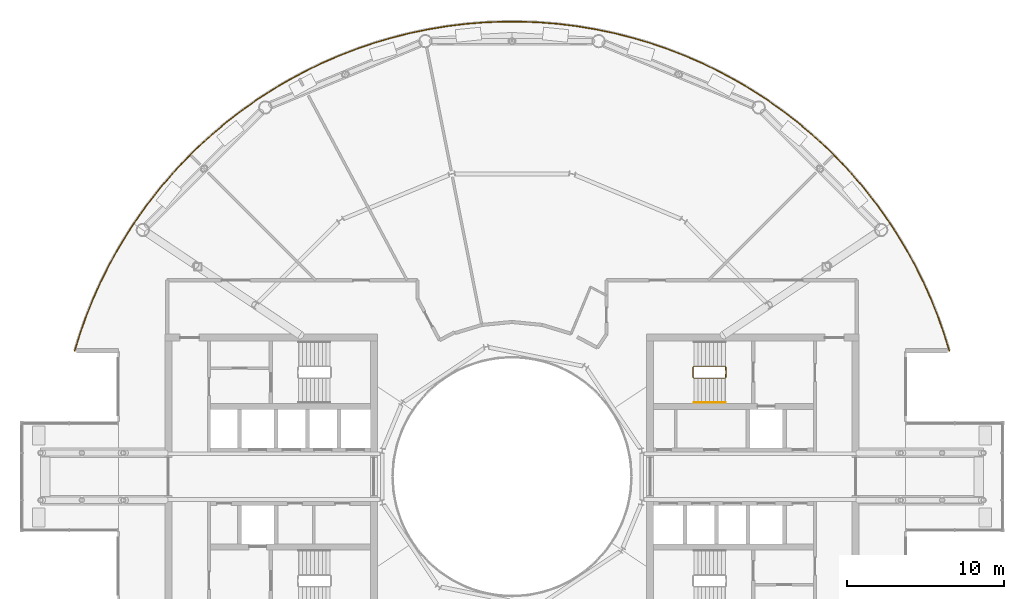
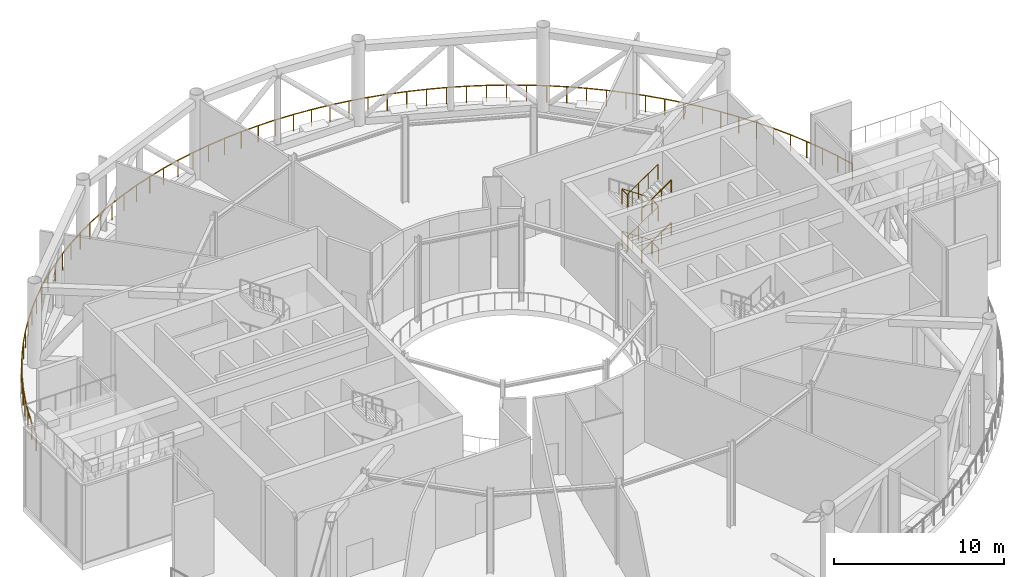
# One storey, part 23 of 24: 4 railings.
"""IFC4 building model written with IfcOpenShell, lengths in metres."""

from ifc_helpers import new_model, si_unit, direction, frame, origin, origin_2d, place, context, subcontext, project, spatial, circle, extrude, material, type_object, element, save


model = new_model("IFC4")

# Units and contexts
model_context = context("Model", 3, precision=1e-05, world=origin(), true_north=direction((0.0, 1.0)))
body_context = subcontext(model_context, "Body", "Model", "MODEL_VIEW")
ifc_project = project(units=[si_unit("LENGTHUNIT", "METRE"), si_unit("AREAUNIT", "SQUARE_METRE"), si_unit("VOLUMEUNIT", "CUBIC_METRE"), si_unit("PLANEANGLEUNIT", "RADIAN"), si_unit("MASSUNIT", "GRAM", prefix="KILO")], contexts=[model_context])

# Site, building, storey
site_placement = place(None, origin())
site = spatial("IfcSite", under=ifc_project, at=site_placement, CompositionType="ELEMENT")
building_placement = place(site_placement, origin())
building = spatial("IfcBuilding", under=site, at=building_placement, Name="Maasbend Ring Residences", CompositionType="ELEMENT")
storey_placement = place(building_placement, frame((0.0, 0.0, 221.85009765625)))
storey = spatial("IfcBuildingStorey", under=building, at=storey_placement, Name="L64", CompositionType="ELEMENT", Elevation=221.85009765625)

# Railings
ifc_material_1 = material(Name="Stainless steel 316 and glass", Category="steel")
railing_type_1 = type_object("IfcRailingType", Name="RL-GUARD", PredefinedType="GUARDRAIL", material=ifc_material_1)
railing_1_placement = place(storey_placement, frame((27.778564453125, 7.972412109375, 0.0)))
element("IfcRailing", 1, at=railing_1_placement, inside=storey, type_object=railing_type_1, Name="Garden guard outer 1", PredefinedType="GUARDRAIL", context=body_context, shape_type="SweptSolid", body=[
    extrude(circle(Radius=0.02490234375, at=origin_2d()), frame((0.0, 0.0, 1.1748046875), z_axis=(-0.295504624123, 0.95534130923, 0.0), x_axis=(-0.95534130923, -0.295504624123, 0.0)), (0.0, 0.0, 1.0), 1.184814453125),
    extrude(circle(Radius=0.02490234375, at=origin_2d()), frame((-0.35009765625, 1.1318359375, 1.1748046875), z_axis=(-0.334285842511, 0.94247173724, 0.0), x_axis=(-0.94247173724, -0.334285842511, 0.0)), (0.0, 0.0, 1.0), 1.1845703125),
    extrude(circle(Radius=0.02490234375, at=origin_2d()), frame((-0.74609375, 2.248291015625, 1.1748046875), z_axis=(-0.372847180885, 0.927892763042, 0.0), x_axis=(-0.927892763042, -0.372847180885, 0.0)), (0.0, 0.0, 1.0), 1.1845703125),
    extrude(circle(Radius=0.02490234375, at=origin_2d()), frame((-1.187744140625, 3.347412109375, 1.1748046875), z_axis=(-0.410493199792, 0.911863659175, 0.0), x_axis=(-0.911863659175, -0.410493199792, 0.0)), (0.0, 0.0, 1.0), 1.184814453125),
    extrude(circle(Radius=0.02490234375, at=origin_2d()), frame((-1.674072265625, 4.427734375, 1.1748046875), z_axis=(-0.447460908245, 0.894303491882, 0.0), x_axis=(-0.894303491882, -0.447460908245, 0.0)), (0.0, 0.0, 1.0), 1.1845703125),
    extrude(circle(Radius=0.02490234375, at=origin_2d()), frame((-2.2041015625, 5.487060546875, 1.1748046875), z_axis=(-0.483839805506, 0.875156581766, 0.0), x_axis=(-0.875156581766, -0.483839805506, 0.0)), (0.0, 0.0, 1.0), 1.184814453125),
    extrude(circle(Radius=0.02490234375, at=origin_2d()), frame((-2.77734375, 6.52392578125, 1.1748046875), z_axis=(-0.51915559987, 0.854679743017, 0.0), x_axis=(-0.854679743017, -0.51915559987, 0.0)), (0.0, 0.0, 1.0), 1.1845703125),
    extrude(circle(Radius=0.02490234375, at=origin_2d()), frame((-3.392333984375, 7.536376953125, 1.1748046875), z_axis=(-0.553796190877, 0.832652255729, 0.0), x_axis=(-0.832652255729, -0.553796190877, 0.0)), (0.0, 0.0, 1.0), 1.1845703125),
    extrude(circle(Radius=0.02490234375, at=origin_2d()), frame((-4.04833984375, 8.522705078125, 1.1748046875), z_axis=(-0.58749759803, 0.809225909317, 0.0), x_axis=(-0.809225909317, -0.58749759803, 0.0)), (0.0, 0.0, 1.0), 1.184814453125),
    extrude(circle(Radius=0.02490234375, at=origin_2d()), frame((-4.744384765625, 9.4814453125, 1.1748046875), z_axis=(-0.620185444157, 0.78445523445, 0.0), x_axis=(-0.78445523445, -0.620185444157, 0.0)), (0.0, 0.0, 1.0), 1.1845703125),
    extrude(circle(Radius=0.02490234375, at=origin_2d()), frame((-5.47900390625, 10.41064453125, 1.1748046875), z_axis=(-0.65182600946, 0.758368547206, 0.0), x_axis=(-0.758368547206, -0.65182600946, 0.0)), (0.0, 0.0, 1.0), 1.184814453125),
    extrude(circle(Radius=0.02490234375, at=origin_2d()), frame((-6.251220703125, 11.30908203125, 1.1748046875), z_axis=(-0.682156690758, 0.731206023809, 0.0), x_axis=(-0.731206023809, -0.682156690758, 0.0)), (0.0, 0.0, 1.0), 1.1845703125),
    extrude(circle(Radius=0.02490234375, at=origin_2d()), frame((-7.059326171875, 12.17529296875, 1.1748046875), z_axis=(-0.711830937603, 0.702350849841, 0.0), x_axis=(-0.702350849841, -0.711830937603, 0.0)), (0.0, 0.0, 1.0), 1.1845703125),
    extrude(circle(Radius=0.02490234375, at=origin_2d()), frame((-7.902587890625, 13.00732421875, 1.1748046875), z_axis=(-0.739800189204, 0.672826634471, 0.0), x_axis=(-0.672826634471, -0.739800189204, 0.0)), (0.0, 0.0, 1.0), 1.184814453125),
    extrude(circle(Radius=0.02490234375, at=origin_2d()), frame((-8.779052734375, 13.804443359375, 1.1748046875), z_axis=(-0.766885051085, 0.641784479731, 0.0), x_axis=(-0.641784479731, -0.766885051085, 0.0)), (0.0, 0.0, 1.0), 1.1845703125),
    extrude(circle(Radius=0.02490234375, at=origin_2d()), frame((-9.6875, 14.564697265625, 1.1748046875), z_axis=(-0.792493715501, 0.609880079107, 0.0), x_axis=(-0.609880079107, -0.792493715501, 0.0)), (0.0, 0.0, 1.0), 1.1845703125),
    extrude(circle(Radius=0.02490234375, at=origin_2d()), frame((-10.626220703125, 15.287109375, 1.1748046875), z_axis=(-0.816785089041, 0.576942040695, 0.0), x_axis=(-0.576942040695, -0.816785089041, 0.0)), (0.0, 0.0, 1.0), 1.184814453125),
    extrude(circle(Radius=0.02490234375, at=origin_2d()), frame((-11.593994140625, 15.970703125, 1.1748046875), z_axis=(-0.839829939632, 0.542849585519, 0.0), x_axis=(-0.542849585519, -0.839829939632, 0.0)), (0.0, 0.0, 1.0), 1.1845703125),
    extrude(circle(Radius=0.02490234375, at=origin_2d()), frame((-12.5888671875, 16.61376953125, 1.1748046875), z_axis=(-0.861324276781, 0.508055597575, 0.0), x_axis=(-0.508055597575, -0.861324276781, 0.0)), (0.0, 0.0, 1.0), 1.1845703125),
    extrude(circle(Radius=0.02490234375, at=origin_2d()), frame((-13.609130859375, 17.215576171875, 1.1748046875), z_axis=(-0.881415624836, 0.472341503887, 0.0), x_axis=(-0.472341503887, -0.881415624836, 0.0)), (0.0, 0.0, 1.0), 1.1845703125),
    extrude(circle(Radius=0.02490234375, at=origin_2d()), frame((-14.6533203125, 17.775146484375, 1.1748046875), z_axis=(-0.900002799964, 0.435884113104, 0.0), x_axis=(-0.435884113104, -0.900002799964, 0.0)), (0.0, 0.0, 1.0), 1.1845703125),
    extrude(circle(Radius=0.02490234375, at=origin_2d()), frame((-15.719482421875, 18.29150390625, 1.1748046875), z_axis=(-0.917129024526, 0.398590456951, 0.0), x_axis=(-0.398590456951, -0.917129024526, 0.0)), (0.0, 0.0, 1.0), 1.1845703125),
    extrude(circle(Radius=0.02490234375, at=origin_2d()), frame((-16.805908203125, 18.763671875, 1.1748046875), z_axis=(-0.932706782024, 0.360635631582, 0.0), x_axis=(-0.360635631582, -0.932706782024, 0.0)), (0.0, 0.0, 1.0), 1.184814453125),
    extrude(circle(Radius=0.02490234375, at=origin_2d()), frame((-17.910888671875, 19.19091796875, 1.1748046875), z_axis=(-0.946770232419, 0.321910122559, 0.0), x_axis=(-0.321910122559, -0.946770232419, 0.0)), (0.0, 0.0, 1.0), 1.1845703125),
    extrude(circle(Radius=0.02490234375, at=origin_2d()), frame((-19.032470703125, 19.572265625, 1.1748046875), z_axis=(-0.959076230705, 0.283147989039, 0.0), x_axis=(-0.283147989039, -0.959076230705, 0.0)), (0.0, 0.0, 1.0), 1.184814453125),
    extrude(circle(Radius=0.02490234375, at=origin_2d()), frame((-20.168701171875, 19.90771484375, 1.1748046875), z_axis=(-0.969923880017, 0.243408436528, 0.0), x_axis=(-0.243408436528, -0.969923880017, 0.0)), (0.0, 0.0, 1.0), 1.1845703125),
    extrude(circle(Radius=0.02490234375, at=origin_2d()), frame((-21.317626953125, 20.196044921875, 1.1748046875), z_axis=(-0.979054075839, 0.203600384536, 0.0), x_axis=(-0.203600384536, -0.979054075839, 0.0)), (0.0, 0.0, 1.0), 1.184814453125),
    extrude(circle(Radius=0.02490234375, at=origin_2d()), frame((-22.4775390625, 20.437255859375, 1.1748046875), z_axis=(-0.986588187234, 0.163229129787, 0.0), x_axis=(-0.163229129787, -0.986588187234, 0.0)), (0.0, 0.0, 1.0), 1.1845703125),
    extrude(circle(Radius=0.02490234375, at=origin_2d()), frame((-23.646240234375, 20.630615234375, 1.1748046875), z_axis=(-0.992454401235, 0.122614279222, 0.0), x_axis=(-0.122614279222, -0.992454401235, 0.0)), (0.0, 0.0, 1.0), 1.184814453125),
    extrude(circle(Radius=0.02490234375, at=origin_2d()), frame((-24.822021484375, 20.77587890625, 1.1748046875), z_axis=(-0.996630509683, 0.082022113907, 0.0), x_axis=(-0.082022113907, -0.996630509683, 0.0)), (0.0, 0.0, 1.0), 1.1845703125),
    extrude(circle(Radius=0.02490234375, at=origin_2d()), frame((-26.002685546875, 20.873046875, 1.1748046875), z_axis=(-0.999158599932, 0.041013317118, 0.0), x_axis=(-0.041013317118, -0.999158599932, 0.0)), (0.0, 0.0, 1.0), 1.1845703125),
    extrude(circle(Radius=0.02490234375, at=origin_2d()), frame((-27.186279296875, 20.921630859375, 1.1748046875), z_axis=(-1.0, 0.0, 0.0), x_axis=(0.0, -1.0, 0.0)), (0.0, 0.0, 1.0), 1.1845703125),
    extrude(circle(Radius=0.02490234375, at=origin_2d()), frame((-28.370849609375, 20.921630859375, 1.1748046875), z_axis=(-0.999158599932, -0.041013317118, 0.0), x_axis=(0.041013317118, -0.999158599932, 0.0)), (0.0, 0.0, 1.0), 1.1845703125),
    extrude(circle(Radius=0.02490234375, at=origin_2d()), frame((-29.554443359375, 20.873046875, 1.1748046875), z_axis=(-0.996630509683, -0.082022113907, 0.0), x_axis=(0.082022113907, -0.996630509683, 0.0)), (0.0, 0.0, 1.0), 1.1845703125),
    extrude(circle(Radius=0.02490234375, at=origin_2d()), frame((-30.735107421875, 20.77587890625, 1.1748046875), z_axis=(-0.992454401235, -0.122614279222, 0.0), x_axis=(0.122614279222, -0.992454401235, 0.0)), (0.0, 0.0, 1.0), 1.184814453125),
    extrude(circle(Radius=0.02490234375, at=origin_2d()), frame((-31.910888671875, 20.630615234375, 1.1748046875), z_axis=(-0.986588187234, -0.163229129787, 0.0), x_axis=(0.163229129787, -0.986588187234, 0.0)), (0.0, 0.0, 1.0), 1.1845703125),
    extrude(circle(Radius=0.02490234375, at=origin_2d()), frame((-33.07958984375, 20.437255859375, 1.1748046875), z_axis=(-0.979054075839, -0.203600384536, 0.0), x_axis=(0.203600384536, -0.979054075839, 0.0)), (0.0, 0.0, 1.0), 1.184814453125),
    extrude(circle(Radius=0.02490234375, at=origin_2d()), frame((-34.239501953125, 20.196044921875, 1.1748046875), z_axis=(-0.969923880017, -0.243408436528, 0.0), x_axis=(0.243408436528, -0.969923880017, 0.0)), (0.0, 0.0, 1.0), 1.1845703125),
    extrude(circle(Radius=0.02490234375, at=origin_2d()), frame((-35.388427734375, 19.90771484375, 1.1748046875), z_axis=(-0.959076230705, -0.283147989039, 0.0), x_axis=(0.283147989039, -0.959076230705, 0.0)), (0.0, 0.0, 1.0), 1.184814453125),
    extrude(circle(Radius=0.02490234375, at=origin_2d()), frame((-36.524658203125, 19.572265625, 1.1748046875), z_axis=(-0.946770232419, -0.321910122559, 0.0), x_axis=(0.321910122559, -0.946770232419, 0.0)), (0.0, 0.0, 1.0), 1.1845703125),
    extrude(circle(Radius=0.02490234375, at=origin_2d()), frame((-37.646240234375, 19.19091796875, 1.1748046875), z_axis=(-0.932706782024, -0.360635631582, 0.0), x_axis=(0.360635631582, -0.932706782024, 0.0)), (0.0, 0.0, 1.0), 1.184814453125),
    extrude(circle(Radius=0.02490234375, at=origin_2d()), frame((-38.751220703125, 18.763671875, 1.1748046875), z_axis=(-0.917129024526, -0.398590456951, 0.0), x_axis=(0.398590456951, -0.917129024526, 0.0)), (0.0, 0.0, 1.0), 1.1845703125),
    extrude(circle(Radius=0.02490234375, at=origin_2d()), frame((-39.837646484375, 18.29150390625, 1.1748046875), z_axis=(-0.900002799964, -0.435884113104, 0.0), x_axis=(0.435884113104, -0.900002799964, 0.0)), (0.0, 0.0, 1.0), 1.1845703125),
    extrude(circle(Radius=0.02490234375, at=origin_2d()), frame((-40.90380859375, 17.775146484375, 1.1748046875), z_axis=(-0.881415624836, -0.472341503887, 0.0), x_axis=(0.472341503887, -0.881415624836, 0.0)), (0.0, 0.0, 1.0), 1.1845703125),
    extrude(circle(Radius=0.02490234375, at=origin_2d()), frame((-41.947998046875, 17.215576171875, 1.1748046875), z_axis=(-0.861324276781, -0.508055597575, 0.0), x_axis=(0.508055597575, -0.861324276781, 0.0)), (0.0, 0.0, 1.0), 1.1845703125),
    extrude(circle(Radius=0.02490234375, at=origin_2d()), frame((-42.96826171875, 16.61376953125, 1.1748046875), z_axis=(-0.839829939632, -0.542849585519, 0.0), x_axis=(0.542849585519, -0.839829939632, 0.0)), (0.0, 0.0, 1.0), 1.1845703125),
    extrude(circle(Radius=0.02490234375, at=origin_2d()), frame((-43.963134765625, 15.970703125, 1.1748046875), z_axis=(-0.816785089041, -0.576942040695, 0.0), x_axis=(0.576942040695, -0.816785089041, 0.0)), (0.0, 0.0, 1.0), 1.184814453125),
    extrude(circle(Radius=0.02490234375, at=origin_2d()), frame((-44.930908203125, 15.287109375, 1.1748046875), z_axis=(-0.792493715501, -0.609880079107, 0.0), x_axis=(0.609880079107, -0.792493715501, 0.0)), (0.0, 0.0, 1.0), 1.1845703125),
    extrude(circle(Radius=0.02490234375, at=origin_2d()), frame((-45.86962890625, 14.564697265625, 1.1748046875), z_axis=(-0.766885051085, -0.641784479731, 0.0), x_axis=(0.641784479731, -0.766885051085, 0.0)), (0.0, 0.0, 1.0), 1.1845703125),
    extrude(circle(Radius=0.02490234375, at=origin_2d()), frame((-46.778076171875, 13.804443359375, 1.1748046875), z_axis=(-0.739800189204, -0.672826634471, 0.0), x_axis=(0.672826634471, -0.739800189204, 0.0)), (0.0, 0.0, 1.0), 1.184814453125),
    extrude(circle(Radius=0.02490234375, at=origin_2d()), frame((-47.654541015625, 13.00732421875, 1.1748046875), z_axis=(-0.711830937603, -0.702350849841, 0.0), x_axis=(0.702350849841, -0.711830937603, 0.0)), (0.0, 0.0, 1.0), 1.1845703125),
    extrude(circle(Radius=0.02490234375, at=origin_2d()), frame((-48.497802734375, 12.17529296875, 1.1748046875), z_axis=(-0.682156690758, -0.731206023809, 0.0), x_axis=(0.731206023809, -0.682156690758, 0.0)), (0.0, 0.0, 1.0), 1.1845703125),
    extrude(circle(Radius=0.02490234375, at=origin_2d()), frame((-49.305908203125, 11.30908203125, 1.1748046875), z_axis=(-0.65182600946, -0.758368547206, 0.0), x_axis=(0.758368547206, -0.65182600946, 0.0)), (0.0, 0.0, 1.0), 1.184814453125),
    extrude(circle(Radius=0.02490234375, at=origin_2d()), frame((-50.078125, 10.41064453125, 1.1748046875), z_axis=(-0.620185444157, -0.78445523445, 0.0), x_axis=(0.78445523445, -0.620185444157, 0.0)), (0.0, 0.0, 1.0), 1.1845703125),
    extrude(circle(Radius=0.02490234375, at=origin_2d()), frame((-50.812744140625, 9.4814453125, 1.1748046875), z_axis=(-0.58749759803, -0.809225909317, 0.0), x_axis=(0.809225909317, -0.58749759803, 0.0)), (0.0, 0.0, 1.0), 1.184814453125),
    extrude(circle(Radius=0.02490234375, at=origin_2d()), frame((-51.5087890625, 8.522705078125, 1.1748046875), z_axis=(-0.553796190877, -0.832652255729, 0.0), x_axis=(0.832652255729, -0.553796190877, 0.0)), (0.0, 0.0, 1.0), 1.1845703125),
    extrude(circle(Radius=0.02490234375, at=origin_2d()), frame((-52.164794921875, 7.536376953125, 1.1748046875), z_axis=(-0.51915559987, -0.854679743017, 0.0), x_axis=(0.854679743017, -0.51915559987, 0.0)), (0.0, 0.0, 1.0), 1.1845703125),
    extrude(circle(Radius=0.02490234375, at=origin_2d()), frame((-52.77978515625, 6.52392578125, 1.1748046875), z_axis=(-0.483839805506, -0.875156581766, 0.0), x_axis=(0.875156581766, -0.483839805506, 0.0)), (0.0, 0.0, 1.0), 1.184814453125),
    extrude(circle(Radius=0.02490234375, at=origin_2d()), frame((-53.35302734375, 5.487060546875, 1.1748046875), z_axis=(-0.447460908245, -0.894303491882, 0.0), x_axis=(0.894303491882, -0.447460908245, 0.0)), (0.0, 0.0, 1.0), 1.1845703125),
    extrude(circle(Radius=0.02490234375, at=origin_2d()), frame((-53.883056640625, 4.427734375, 1.1748046875), z_axis=(-0.410493199792, -0.911863659175, 0.0), x_axis=(0.911863659175, -0.410493199792, 0.0)), (0.0, 0.0, 1.0), 1.184814453125),
    extrude(circle(Radius=0.02490234375, at=origin_2d()), frame((-54.369384765625, 3.347412109375, 1.1748046875), z_axis=(-0.372847180885, -0.927892763042, 0.0), x_axis=(0.927892763042, -0.372847180885, 0.0)), (0.0, 0.0, 1.0), 1.1845703125),
    extrude(circle(Radius=0.02490234375, at=origin_2d()), frame((-54.81103515625, 2.248291015625, 1.1748046875), z_axis=(-0.334285842511, -0.94247173724, 0.0), x_axis=(0.94247173724, -0.334285842511, 0.0)), (0.0, 0.0, 1.0), 1.1845703125),
    extrude(circle(Radius=0.02490234375, at=origin_2d()), frame((-55.20703125, 1.1318359375, 1.1748046875), z_axis=(-0.295504624123, -0.95534130923, 0.0), x_axis=(0.95534130923, -0.295504624123, 0.0)), (0.0, 0.0, 1.0), 1.184814453125),
    extrude(circle(Radius=0.02001953125, at=origin_2d()), origin(), (0.0, 0.0, 1.0), 1.14990234375),
    extrude(circle(Radius=0.02001953125, at=origin_2d()), frame((-0.35009765625, 1.1318359375, 0.0)), (0.0, 0.0, 1.0), 1.14990234375),
    extrude(circle(Radius=0.02001953125, at=origin_2d()), frame((-0.74609375, 2.248291015625, 0.0)), (0.0, 0.0, 1.0), 1.14990234375),
    extrude(circle(Radius=0.02001953125, at=origin_2d()), frame((-1.187744140625, 3.347412109375, 0.0)), (0.0, 0.0, 1.0), 1.14990234375),
    extrude(circle(Radius=0.02001953125, at=origin_2d()), frame((-1.674072265625, 4.427734375, 0.0)), (0.0, 0.0, 1.0), 1.14990234375),
    extrude(circle(Radius=0.02001953125, at=origin_2d()), frame((-2.2041015625, 5.487060546875, 0.0)), (0.0, 0.0, 1.0), 1.14990234375),
    extrude(circle(Radius=0.02001953125, at=origin_2d()), frame((-2.77734375, 6.52392578125, 0.0)), (0.0, 0.0, 1.0), 1.14990234375),
    extrude(circle(Radius=0.02001953125, at=origin_2d()), frame((-3.392333984375, 7.536376953125, 0.0)), (0.0, 0.0, 1.0), 1.14990234375),
    extrude(circle(Radius=0.02001953125, at=origin_2d()), frame((-4.04833984375, 8.522705078125, 0.0)), (0.0, 0.0, 1.0), 1.14990234375),
    extrude(circle(Radius=0.02001953125, at=origin_2d()), frame((-4.744384765625, 9.4814453125, 0.0)), (0.0, 0.0, 1.0), 1.14990234375),
    extrude(circle(Radius=0.02001953125, at=origin_2d()), frame((-5.47900390625, 10.41064453125, 0.0)), (0.0, 0.0, 1.0), 1.14990234375),
    extrude(circle(Radius=0.02001953125, at=origin_2d()), frame((-6.251220703125, 11.30908203125, 0.0)), (0.0, 0.0, 1.0), 1.14990234375),
    extrude(circle(Radius=0.02001953125, at=origin_2d()), frame((-7.059326171875, 12.17529296875, 0.0)), (0.0, 0.0, 1.0), 1.14990234375),
    extrude(circle(Radius=0.02001953125, at=origin_2d()), frame((-7.902587890625, 13.00732421875, 0.0)), (0.0, 0.0, 1.0), 1.14990234375),
    extrude(circle(Radius=0.02001953125, at=origin_2d()), frame((-8.779052734375, 13.804443359375, 0.0)), (0.0, 0.0, 1.0), 1.14990234375),
    extrude(circle(Radius=0.02001953125, at=origin_2d()), frame((-9.6875, 14.564697265625, 0.0)), (0.0, 0.0, 1.0), 1.14990234375),
    extrude(circle(Radius=0.02001953125, at=origin_2d()), frame((-10.626220703125, 15.287109375, 0.0)), (0.0, 0.0, 1.0), 1.14990234375),
    extrude(circle(Radius=0.02001953125, at=origin_2d()), frame((-11.593994140625, 15.970703125, 0.0)), (0.0, 0.0, 1.0), 1.14990234375),
    extrude(circle(Radius=0.02001953125, at=origin_2d()), frame((-12.5888671875, 16.61376953125, 0.0)), (0.0, 0.0, 1.0), 1.14990234375),
    extrude(circle(Radius=0.02001953125, at=origin_2d()), frame((-13.609130859375, 17.215576171875, 0.0)), (0.0, 0.0, 1.0), 1.14990234375),
    extrude(circle(Radius=0.02001953125, at=origin_2d()), frame((-14.6533203125, 17.775146484375, 0.0)), (0.0, 0.0, 1.0), 1.14990234375),
    extrude(circle(Radius=0.02001953125, at=origin_2d()), frame((-15.719482421875, 18.29150390625, 0.0)), (0.0, 0.0, 1.0), 1.14990234375),
    extrude(circle(Radius=0.02001953125, at=origin_2d()), frame((-16.805908203125, 18.763671875, 0.0)), (0.0, 0.0, 1.0), 1.14990234375),
    extrude(circle(Radius=0.02001953125, at=origin_2d()), frame((-17.910888671875, 19.19091796875, 0.0)), (0.0, 0.0, 1.0), 1.14990234375),
    extrude(circle(Radius=0.02001953125, at=origin_2d()), frame((-19.032470703125, 19.572265625, 0.0)), (0.0, 0.0, 1.0), 1.14990234375),
    extrude(circle(Radius=0.02001953125, at=origin_2d()), frame((-20.168701171875, 19.90771484375, 0.0)), (0.0, 0.0, 1.0), 1.14990234375),
    extrude(circle(Radius=0.02001953125, at=origin_2d()), frame((-21.317626953125, 20.196044921875, 0.0)), (0.0, 0.0, 1.0), 1.14990234375),
    extrude(circle(Radius=0.02001953125, at=origin_2d()), frame((-22.4775390625, 20.437255859375, 0.0)), (0.0, 0.0, 1.0), 1.14990234375),
    extrude(circle(Radius=0.02001953125, at=origin_2d()), frame((-23.646240234375, 20.630615234375, 0.0)), (0.0, 0.0, 1.0), 1.14990234375),
    extrude(circle(Radius=0.02001953125, at=origin_2d()), frame((-24.822021484375, 20.77587890625, 0.0)), (0.0, 0.0, 1.0), 1.14990234375),
    extrude(circle(Radius=0.02001953125, at=origin_2d()), frame((-26.002685546875, 20.873046875, 0.0)), (0.0, 0.0, 1.0), 1.14990234375),
    extrude(circle(Radius=0.02001953125, at=origin_2d()), frame((-27.186279296875, 20.921630859375, 0.0)), (0.0, 0.0, 1.0), 1.14990234375),
    extrude(circle(Radius=0.02001953125, at=origin_2d()), frame((-28.370849609375, 20.921630859375, 0.0)), (0.0, 0.0, 1.0), 1.14990234375),
    extrude(circle(Radius=0.02001953125, at=origin_2d()), frame((-29.554443359375, 20.873046875, 0.0)), (0.0, 0.0, 1.0), 1.14990234375),
    extrude(circle(Radius=0.02001953125, at=origin_2d()), frame((-30.735107421875, 20.77587890625, 0.0)), (0.0, 0.0, 1.0), 1.14990234375),
    extrude(circle(Radius=0.02001953125, at=origin_2d()), frame((-31.910888671875, 20.630615234375, 0.0)), (0.0, 0.0, 1.0), 1.14990234375),
    extrude(circle(Radius=0.02001953125, at=origin_2d()), frame((-33.07958984375, 20.437255859375, 0.0)), (0.0, 0.0, 1.0), 1.14990234375),
    extrude(circle(Radius=0.02001953125, at=origin_2d()), frame((-34.239501953125, 20.196044921875, 0.0)), (0.0, 0.0, 1.0), 1.14990234375),
    extrude(circle(Radius=0.02001953125, at=origin_2d()), frame((-35.388427734375, 19.90771484375, 0.0)), (0.0, 0.0, 1.0), 1.14990234375),
    extrude(circle(Radius=0.02001953125, at=origin_2d()), frame((-36.524658203125, 19.572265625, 0.0)), (0.0, 0.0, 1.0), 1.14990234375),
    extrude(circle(Radius=0.02001953125, at=origin_2d()), frame((-37.646240234375, 19.19091796875, 0.0)), (0.0, 0.0, 1.0), 1.14990234375),
    extrude(circle(Radius=0.02001953125, at=origin_2d()), frame((-38.751220703125, 18.763671875, 0.0)), (0.0, 0.0, 1.0), 1.14990234375),
    extrude(circle(Radius=0.02001953125, at=origin_2d()), frame((-39.837646484375, 18.29150390625, 0.0)), (0.0, 0.0, 1.0), 1.14990234375),
    extrude(circle(Radius=0.02001953125, at=origin_2d()), frame((-40.90380859375, 17.775146484375, 0.0)), (0.0, 0.0, 1.0), 1.14990234375),
    extrude(circle(Radius=0.02001953125, at=origin_2d()), frame((-41.947998046875, 17.215576171875, 0.0)), (0.0, 0.0, 1.0), 1.14990234375),
    extrude(circle(Radius=0.02001953125, at=origin_2d()), frame((-42.96826171875, 16.61376953125, 0.0)), (0.0, 0.0, 1.0), 1.14990234375),
    extrude(circle(Radius=0.02001953125, at=origin_2d()), frame((-43.963134765625, 15.970703125, 0.0)), (0.0, 0.0, 1.0), 1.14990234375),
    extrude(circle(Radius=0.02001953125, at=origin_2d()), frame((-44.930908203125, 15.287109375, 0.0)), (0.0, 0.0, 1.0), 1.14990234375),
    extrude(circle(Radius=0.02001953125, at=origin_2d()), frame((-45.86962890625, 14.564697265625, 0.0)), (0.0, 0.0, 1.0), 1.14990234375),
    extrude(circle(Radius=0.02001953125, at=origin_2d()), frame((-46.778076171875, 13.804443359375, 0.0)), (0.0, 0.0, 1.0), 1.14990234375),
    extrude(circle(Radius=0.02001953125, at=origin_2d()), frame((-47.654541015625, 13.00732421875, 0.0)), (0.0, 0.0, 1.0), 1.14990234375),
    extrude(circle(Radius=0.02001953125, at=origin_2d()), frame((-48.497802734375, 12.17529296875, 0.0)), (0.0, 0.0, 1.0), 1.14990234375),
    extrude(circle(Radius=0.02001953125, at=origin_2d()), frame((-49.305908203125, 11.30908203125, 0.0)), (0.0, 0.0, 1.0), 1.14990234375),
    extrude(circle(Radius=0.02001953125, at=origin_2d()), frame((-50.078125, 10.41064453125, 0.0)), (0.0, 0.0, 1.0), 1.14990234375),
    extrude(circle(Radius=0.02001953125, at=origin_2d()), frame((-50.812744140625, 9.4814453125, 0.0)), (0.0, 0.0, 1.0), 1.14990234375),
    extrude(circle(Radius=0.02001953125, at=origin_2d()), frame((-51.5087890625, 8.522705078125, 0.0)), (0.0, 0.0, 1.0), 1.14990234375),
    extrude(circle(Radius=0.02001953125, at=origin_2d()), frame((-52.164794921875, 7.536376953125, 0.0)), (0.0, 0.0, 1.0), 1.14990234375),
    extrude(circle(Radius=0.02001953125, at=origin_2d()), frame((-52.77978515625, 6.52392578125, 0.0)), (0.0, 0.0, 1.0), 1.14990234375),
    extrude(circle(Radius=0.02001953125, at=origin_2d()), frame((-53.35302734375, 5.487060546875, 0.0)), (0.0, 0.0, 1.0), 1.14990234375),
    extrude(circle(Radius=0.02001953125, at=origin_2d()), frame((-53.883056640625, 4.427734375, 0.0)), (0.0, 0.0, 1.0), 1.14990234375),
    extrude(circle(Radius=0.02001953125, at=origin_2d()), frame((-54.369384765625, 3.347412109375, 0.0)), (0.0, 0.0, 1.0), 1.14990234375),
    extrude(circle(Radius=0.02001953125, at=origin_2d()), frame((-54.81103515625, 2.248291015625, 0.0)), (0.0, 0.0, 1.0), 1.14990234375),
    extrude(circle(Radius=0.02001953125, at=origin_2d()), frame((-55.20703125, 1.1318359375, 0.0)), (0.0, 0.0, 1.0), 1.14990234375),
    extrude(circle(Radius=0.02001953125, at=origin_2d()), frame((-55.55712890625, 0.0, 0.0)), (0.0, 0.0, 1.0), 1.14990234375),
])
ifc_material_2 = material(Name="Stainless steel 316", Category="steel")
railing_type_2 = type_object("IfcRailingType", Name="STAIR GUARD 1100", PredefinedType="GUARDRAIL", material=ifc_material_2)
railing_2_placement = place(storey_placement, frame((13.60009765625, 6.300048828125, 0.0)))
element("IfcRailing", 2, at=railing_2_placement, inside=storey, type_object=railing_type_2, Name="L64 ST-E1 stair guard 1", PredefinedType="GUARDRAIL", context=body_context, shape_type="SweptSolid", body=[
    extrude(circle(Radius=0.02392578125, at=origin_2d()), frame((0.0, 0.0, 1.076171875), z_axis=(0.0, 1.0, 0.0), x_axis=(-1.0, 0.0, 0.0)), (0.0, 0.0, 1.0), 0.64990234375),
    extrude(circle(Radius=0.02392578125, at=origin_2d()), frame((0.0, 0.64990234375, 1.076171875), z_axis=(-0.272562526181, 0.272562526181, 0.92272386912), x_axis=(-0.707106781187, -0.707106781187, 0.0)), (0.0, 0.0, 1.0), 0.18359375),
    extrude(circle(Radius=0.02392578125, at=origin_2d()), frame((-0.050048828125, 0.699951171875, 1.24560546875), z_axis=(-0.827797584762, 0.0, 0.561026878735), x_axis=(0.0, -1.0, 0.0)), (0.0, 0.0, 1.0), 2.416015625),
    extrude(circle(Radius=0.02392578125, at=origin_2d()), frame((-2.050048828125, 0.699951171875, 2.60107421875), z_axis=(-0.707106781187, -0.707106781187, 0.0), x_axis=(0.707106781187, -0.707106781187, 0.0)), (0.0, 0.0, 1.0), 0.07080078125),
    extrude(circle(Radius=0.02392578125, at=origin_2d()), frame((-2.10009765625, 0.64990234375, 2.60107421875), z_axis=(0.0, -1.0, 0.0), x_axis=(1.0, 0.0, 0.0)), (0.0, 0.0, 1.0), 0.64990234375),
    extrude(circle(Radius=0.02392578125, at=origin_2d()), frame((-2.10009765625, 0.0, 2.60107421875), z_axis=(0.272562526181, -0.272562526181, 0.92272386912), x_axis=(0.707106781187, 0.707106781187, 0.0)), (0.0, 0.0, 1.0), 0.18359375),
    extrude(circle(Radius=0.02392578125, at=origin_2d()), frame((-2.050048828125, -0.050048828125, 2.7705078125), z_axis=(0.827797584762, 0.0, 0.561026878735), x_axis=(0.0, 1.0, 0.0)), (0.0, 0.0, 1.0), 2.416015625),
    extrude(circle(Radius=0.02392578125, at=origin_2d()), frame((-0.050048828125, -0.050048828125, 4.1259765625), z_axis=(0.071321223157, 0.997453398975, 0.0), x_axis=(-0.997453398975, 0.071321223157, 0.0)), (0.0, 0.0, 1.0), 0.70166015625),
    extrude(circle(Radius=0.02392578125, at=origin_2d()), frame((0.0, 0.64990234375, 4.1259765625), z_axis=(0.0, -1.0, 0.0), x_axis=(1.0, 0.0, 0.0)), (0.0, 0.0, 1.0), 0.64990234375),
    extrude(circle(Radius=0.02392578125, at=origin_2d()), frame((0.0, 0.0, 4.1259765625), z_axis=(-0.069328998915, 0.969591414091, 0.234704025594), x_axis=(-0.997453398975, -0.071321223157, 0.0)), (0.0, 0.0, 1.0), 0.721923828125),
    extrude(circle(Radius=0.02392578125, at=origin_2d()), frame((-0.050048828125, 0.699951171875, 4.29541015625), z_axis=(-0.827750655447, 0.0, 0.561096116906), x_axis=(0.0, -1.0, 0.0)), (0.0, 0.0, 1.0), 2.416259765625),
    extrude(circle(Radius=0.02392578125, at=origin_2d()), frame((-2.050048828125, 0.699951171875, 5.65087890625), z_axis=(-0.707106781187, -0.707106781187, 0.0), x_axis=(0.707106781187, -0.707106781187, 0.0)), (0.0, 0.0, 1.0), 0.07080078125),
    extrude(circle(Radius=0.02392578125, at=origin_2d()), frame((-2.10009765625, 0.64990234375, 5.65087890625), z_axis=(0.0, -1.0, 0.0), x_axis=(1.0, 0.0, 0.0)), (0.0, 0.0, 1.0), 0.64990234375),
    extrude(circle(Radius=0.02392578125, at=origin_2d()), frame((-2.10009765625, 0.0, 5.65087890625), z_axis=(0.272562526181, -0.272562526181, 0.92272386912), x_axis=(0.707106781187, 0.707106781187, 0.0)), (0.0, 0.0, 1.0), 0.18359375),
    extrude(circle(Radius=0.02392578125, at=origin_2d()), frame((-2.050048828125, -0.050048828125, 5.8203125), z_axis=(0.827797584762, 0.0, 0.561026878735), x_axis=(0.0, 1.0, 0.0)), (0.0, 0.0, 1.0), 2.416015625),
    extrude(circle(Radius=0.02099609375, at=origin_2d()), origin(), (0.0, 0.0, 1.0), 1.052001953125),
    extrude(circle(Radius=0.02099609375, at=origin_2d()), frame((0.0, 0.64990234375, 0.0)), (0.0, 0.0, 1.0), 1.052001953125),
    extrude(circle(Radius=0.02099609375, at=origin_2d()), frame((-0.050048828125, 0.699951171875, 0.16943359375)), (0.0, 0.0, 1.0), 1.052001953125),
    extrude(circle(Radius=0.02099609375, at=origin_2d()), frame((-0.716796875, 0.699951171875, 0.621337890625)), (0.0, 0.0, 1.0), 1.052001953125),
    extrude(circle(Radius=0.02099609375, at=origin_2d()), frame((-1.38330078125, 0.699951171875, 1.072998046875)), (0.0, 0.0, 1.0), 1.052001953125),
    extrude(circle(Radius=0.02099609375, at=origin_2d()), frame((-2.050048828125, 0.699951171875, 1.52490234375)), (0.0, 0.0, 1.0), 1.052001953125),
    extrude(circle(Radius=0.02099609375, at=origin_2d()), frame((-2.10009765625, 0.64990234375, 1.52490234375)), (0.0, 0.0, 1.0), 1.052001953125),
    extrude(circle(Radius=0.02099609375, at=origin_2d()), frame((-2.10009765625, 0.0, 1.52490234375)), (0.0, 0.0, 1.0), 1.052001953125),
    extrude(circle(Radius=0.02099609375, at=origin_2d()), frame((-2.050048828125, -0.050048828125, 1.6943359375)), (0.0, 0.0, 1.0), 1.052001953125),
    extrude(circle(Radius=0.02099609375, at=origin_2d()), frame((-1.38330078125, -0.050048828125, 2.146240234375)), (0.0, 0.0, 1.0), 1.052001953125),
    extrude(circle(Radius=0.02099609375, at=origin_2d()), frame((-0.716796875, -0.050048828125, 2.597900390625)), (0.0, 0.0, 1.0), 1.052001953125),
    extrude(circle(Radius=0.02099609375, at=origin_2d()), frame((-0.050048828125, -0.050048828125, 3.0498046875)), (0.0, 0.0, 1.0), 1.052001953125),
    extrude(circle(Radius=0.02099609375, at=origin_2d()), frame((0.0, 0.64990234375, 3.0498046875)), (0.0, 0.0, 1.0), 1.052001953125),
    extrude(circle(Radius=0.02099609375, at=origin_2d()), frame((0.0, 0.0, 3.0498046875)), (0.0, 0.0, 1.0), 1.052001953125),
    extrude(circle(Radius=0.02099609375, at=origin_2d()), frame((-0.050048828125, 0.699951171875, 3.21923828125)), (0.0, 0.0, 1.0), 1.052001953125),
    extrude(circle(Radius=0.02099609375, at=origin_2d()), frame((-0.716796875, 0.699951171875, 3.671142578125)), (0.0, 0.0, 1.0), 1.052001953125),
    extrude(circle(Radius=0.02099609375, at=origin_2d()), frame((-1.38330078125, 0.699951171875, 4.123046875)), (0.0, 0.0, 1.0), 1.052001953125),
    extrude(circle(Radius=0.02099609375, at=origin_2d()), frame((-2.050048828125, 0.699951171875, 4.574951171875)), (0.0, 0.0, 1.0), 1.052001953125),
    extrude(circle(Radius=0.02099609375, at=origin_2d()), frame((-2.10009765625, 0.64990234375, 4.574951171875)), (0.0, 0.0, 1.0), 1.052001953125),
    extrude(circle(Radius=0.02099609375, at=origin_2d()), frame((-2.10009765625, 0.0, 4.574951171875)), (0.0, 0.0, 1.0), 1.052001953125),
    extrude(circle(Radius=0.02099609375, at=origin_2d()), frame((-2.050048828125, -0.050048828125, 4.744384765625)), (0.0, 0.0, 1.0), 1.052001953125),
    extrude(circle(Radius=0.02099609375, at=origin_2d()), frame((-1.38330078125, -0.050048828125, 5.1962890625)), (0.0, 0.0, 1.0), 1.052001953125),
    extrude(circle(Radius=0.02099609375, at=origin_2d()), frame((-0.716796875, -0.050048828125, 5.64794921875)), (0.0, 0.0, 1.0), 1.052001953125),
    extrude(circle(Radius=0.02099609375, at=origin_2d()), frame((-0.050048828125, -0.050048828125, 6.099853515625)), (0.0, 0.0, 1.0), 1.052001953125),
])
ifc_material_3 = material(Name="Stainless steel 316", Category="steel")
railing_type_3 = type_object("IfcRailingType", Name="STAIR HANDRAIL 900", PredefinedType="HANDRAIL", material=ifc_material_3)
for number, where, name in (
    (3, (11.550048828125, 4.699951171875, 1.6943359375), "L64 ST-E1 stair handrail 2"),
    (4, (11.550048828125, 4.699951171875, 4.744384765625), "L64 ST-E1 stair handrail 4"),
):
    element("IfcRailing", number, at=place(storey_placement, frame(where)), inside=storey, type_object=railing_type_3, Name=name, PredefinedType="HANDRAIL", context=body_context, shape_type="SweptSolid", body=[
        extrude(circle(Radius=0.02392578125, at=origin_2d()), frame((0.0, 0.0, 0.8759765625), z_axis=(0.827797584762, 0.0, 0.561026878735), x_axis=(0.0, 1.0, 0.0)), (0.0, 0.0, 1.0), 2.416015625),
        extrude(circle(Radius=0.02099609375, at=origin_2d()), origin(), (0.0, 0.0, 1.0), 0.851806640625),
        extrude(circle(Radius=0.02099609375, at=origin_2d()), frame((0.666748046875, 0.0, 0.451904296875)), (0.0, 0.0, 1.0), 0.851806640625),
        extrude(circle(Radius=0.02099609375, at=origin_2d()), frame((1.333251953125, 0.0, 0.903564453125)), (0.0, 0.0, 1.0), 0.851806640625),
        extrude(circle(Radius=0.02099609375, at=origin_2d()), frame((2.0, 0.0, 1.35546875)), (0.0, 0.0, 1.0), 0.851806640625),
    ])

save(model, "model.ifc")
